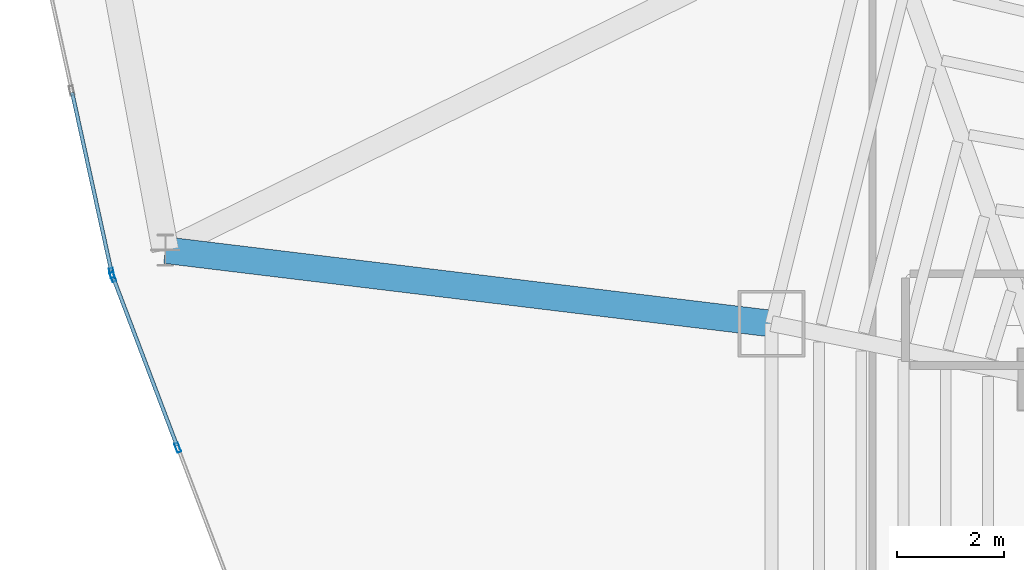
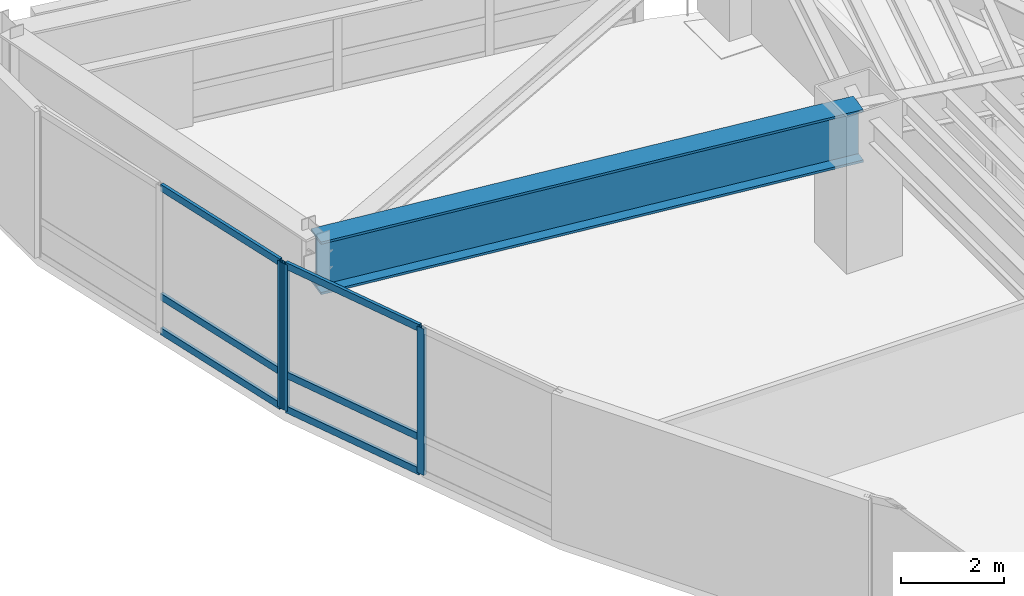
# One storey, part 8 of 23: 9 members, 1 beam, 2 elements without a shape of their own.
"""IFC4 building model written with IfcOpenShell, lengths in metres."""

from ifc_helpers import new_model, si_unit, direction, frame, origin, origin_2d, place, context, subcontext, project, spatial, hollow_rectangle, i_section, extrude, material, layer, layer_set, material_profile, profile_set, type_object, element, aggregate, save


model = new_model("IFC4")

# Units and contexts
model_context = context("Model", 3, precision=1e-05, world=origin(), true_north=direction((0.0, 1.0)))
body_context = subcontext(model_context, "Body", "Model", "MODEL_VIEW")
ifc_project = project(units=[si_unit("LENGTHUNIT", "METRE"), si_unit("AREAUNIT", "SQUARE_METRE"), si_unit("VOLUMEUNIT", "CUBIC_METRE"), si_unit("PLANEANGLEUNIT", "RADIAN"), si_unit("MASSUNIT", "GRAM", prefix="KILO")], contexts=[model_context])

# Site, building, storey
site_placement = place(None, origin())
site = spatial("IfcSite", under=ifc_project, at=site_placement, CompositionType="ELEMENT")
building_placement = place(site_placement, origin())
building = spatial("IfcBuilding", under=site, at=building_placement, Name="Menara Vayukalpa", CompositionType="ELEMENT")
storey_placement = place(building_placement, frame((0.0, 0.0, 103.97998046875)))
storey = spatial("IfcBuildingStorey", under=building, at=storey_placement, Name="L25", CompositionType="ELEMENT", Elevation=103.97998046875)

# Beam
ifc_material_1 = material(Name="Steel S460", Category="steel")
ifc_material_profile_1 = material_profile(ifc_material_1, i_section(OverallWidth=0.5, OverallDepth=1.25, WebThickness=0.028076171875, FlangeThickness=0.054931640625, at=origin_2d()), Name="WG 1250x500x28x55")
ifc_profile_set_1 = profile_set([ifc_material_profile_1], Name="Steel S460")
beam_type = type_object("IfcBeamType", Name="BM-TG2", PredefinedType="BEAM", material=ifc_profile_set_1)
beam_placement = place(storey_placement, frame((12.606689453125, 27.845703125, 2.844970703125), z_axis=(-0.992737332151, 0.120302075433, 0.0), x_axis=(-0.120302075433, -0.992737332151, 0.0)))
element("IfcBeam", 1, at=beam_placement, inside=storey, type_object=beam_type, Name="L25 SB2 Sky Bar Vierendeel Girder 05", PredefinedType="BEAM", context=body_context, shape_type="SweptSolid", body=[
    extrude(i_section(OverallWidth=0.5, OverallDepth=1.25, WebThickness=0.028076171875, FlangeThickness=0.054931640625, at=origin_2d()), origin(), (0.0, 0.0, 1.0), 11.449951171875),
])

# Curtain wall, member
ifc_material_2 = material(Name="Anodised Terracotta Aluminium Alloy 6063-T6", Category="masonry")
ifc_layer = layer(ifc_material_2, 0.179931640625)
ifc_layer_set = layer_set([ifc_layer], Name="Anodised Terracotta Aluminium Alloy 6063-T6")
curtain_wall_type = type_object("IfcCurtainWallType", Name="CW-CW4", PredefinedType="USERDEFINED", material=ifc_layer_set)
curtain_wall_1_placement = place(storey_placement, origin())
curtain_wall_1 = element("IfcCurtainWall", 2, at=curtain_wall_1_placement, inside=storey, type_object=curtain_wall_type, Name="L25 Sky Bar Cantilever Glazed Curtain Wall CW4 10", ObjectType="UNITISED", PredefinedType="USERDEFINED")
ifc_material_3 = material(Name="Anodised Terracotta Aluminium Alloy 6063-T6", Category="masonry")
ifc_material_profile_2 = material_profile(ifc_material_3, hollow_rectangle(XDim=0.074951171875, YDim=0.179931640625, WallThickness=0.00390625, at=origin_2d()), Name="ALU 75x180x4")
ifc_profile_set_2 = profile_set([ifc_material_profile_2], Name="Anodised Terracotta Aluminium Alloy 6063-T6")
member_type_1 = type_object("IfcMemberType", Name="CWM-CW4", PredefinedType="MULLION", material=ifc_profile_set_2)
member_1_placement = place(storey_placement, frame((0.2353515625, 28.793701171875, 0.0), z_axis=(0.0, 0.0, 1.0), x_axis=(0.976721757533, 0.214510159112, 0.0)))
member_1 = element("IfcMember", 3, at=member_1_placement, type_object=member_type_1, Name="CW4 mullion 3", PredefinedType="MULLION", context=body_context, shape_type="SweptSolid", body=[
    extrude(hollow_rectangle(XDim=0.074951171875, YDim=0.179931640625, WallThickness=0.00390625, at=origin_2d()), origin(), (0.0, 0.0, 1.0), 3.469970703125),
])

# Curtain wall, members
curtain_wall_2_placement = place(storey_placement, origin())
curtain_wall_2 = element("IfcCurtainWall", 4, at=curtain_wall_2_placement, inside=storey, type_object=curtain_wall_type, Name="L25 Sky Bar Cantilever Glazed Curtain Wall CW4 11", ObjectType="UNITISED", PredefinedType="USERDEFINED")
member_2_placement = place(storey_placement, frame((0.2568359375, 28.721923828125, 0.0), z_axis=(0.0, 0.0, 1.0), x_axis=(0.934964177732, 0.354742140657, 0.0)))
member_2 = element("IfcMember", 5, at=member_2_placement, type_object=member_type_1, Name="CW4 mullion 1", PredefinedType="MULLION", context=body_context, shape_type="SweptSolid", body=[
    extrude(hollow_rectangle(XDim=0.074951171875, YDim=0.179931640625, WallThickness=0.00390625, at=origin_2d()), origin(), (0.0, 0.0, 1.0), 3.469970703125),
])
member_3_placement = place(storey_placement, frame((1.47216796875, 25.518798828125, 0.0), z_axis=(0.0, 0.0, 1.0), x_axis=(0.934964177732, 0.354742140657, 0.0)))
member_3 = element("IfcMember", 6, at=member_3_placement, type_object=member_type_1, Name="CW4 mullion 2", PredefinedType="MULLION", context=body_context, shape_type="SweptSolid", body=[
    extrude(hollow_rectangle(XDim=0.074951171875, YDim=0.179931640625, WallThickness=0.00390625, at=origin_2d()), origin(), (0.0, 0.0, 1.0), 3.469970703125),
])

# Member
ifc_material_4 = material(Name="Anodised Terracotta Aluminium Alloy 6063-T6", Category="masonry")
ifc_material_profile_3 = material_profile(ifc_material_4, hollow_rectangle(XDim=0.070068359375, YDim=0.1650390625, WallThickness=0.00390625, at=origin_2d()), Name="ALU 70x165x4")
ifc_profile_set_3 = profile_set([ifc_material_profile_3], Name="Anodised Terracotta Aluminium Alloy 6063-T6")
member_type_2 = type_object("IfcMemberType", Name="CWT-CW4", PredefinedType="USERDEFINED", material=ifc_profile_set_3)
member_4_placement = place(storey_placement, frame((-0.5078125, 32.17822265625, 0.034912109375), z_axis=(0.214463645248, -0.976731971867, 0.0), x_axis=(0.976731971867, 0.214463645248, 0.0)))
member_4 = element("IfcMember", 7, at=member_4_placement, type_object=member_type_2, Name="CW4 transom 2.1", ObjectType="TRANSOM", PredefinedType="USERDEFINED", context=body_context, shape_type="SweptSolid", body=[
    extrude(hollow_rectangle(XDim=0.070068359375, YDim=0.1650390625, WallThickness=0.00390625, at=origin_2d()), origin(), (0.0, 0.0, 1.0), 3.427734375),
])

member_5_placement = place(storey_placement, frame((-0.5078125, 32.17822265625, 0.85009765625), z_axis=(0.214463645248, -0.976731971867, 0.0), x_axis=(0.976731971867, 0.214463645248, 0.0)))
member_5 = element("IfcMember", 8, at=member_5_placement, type_object=member_type_2, Name="CW4 transom 2.2", ObjectType="TRANSOM", PredefinedType="USERDEFINED", context=body_context, shape_type="SweptSolid", body=[
    extrude(hollow_rectangle(XDim=0.070068359375, YDim=0.1650390625, WallThickness=0.00390625, at=origin_2d()), origin(), (0.0, 0.0, 1.0), 3.427734375),
])

member_6_placement = place(storey_placement, frame((-0.5078125, 32.17822265625, 3.43505859375), z_axis=(0.214463645248, -0.976731971867, 0.0), x_axis=(0.976731971867, 0.214463645248, 0.0)))
member_6 = element("IfcMember", 9, at=member_6_placement, type_object=member_type_2, Name="CW4 transom 2.3", ObjectType="TRANSOM", PredefinedType="USERDEFINED", context=body_context, shape_type="SweptSolid", body=[
    extrude(hollow_rectangle(XDim=0.070068359375, YDim=0.1650390625, WallThickness=0.00390625, at=origin_2d()), origin(), (0.0, 0.0, 1.0), 3.427734375),
])

aggregate(curtain_wall_1, [member_1, member_4, member_5, member_6])

member_7_placement = place(storey_placement, frame((0.27001953125, 28.68701171875, 0.034912109375), z_axis=(0.354737691882, -0.934965865665, 0.0), x_axis=(0.934965865665, 0.354737691882, 0.0)))
member_7 = element("IfcMember", 10, at=member_7_placement, type_object=member_type_2, Name="CW4 transom 1.1", ObjectType="TRANSOM", PredefinedType="USERDEFINED", context=body_context, shape_type="SweptSolid", body=[
    extrude(hollow_rectangle(XDim=0.070068359375, YDim=0.1650390625, WallThickness=0.00390625, at=origin_2d()), origin(), (0.0, 0.0, 1.0), 3.35107421875),
])

member_8_placement = place(storey_placement, frame((0.27001953125, 28.68701171875, 0.85009765625), z_axis=(0.354737691882, -0.934965865665, 0.0), x_axis=(0.934965865665, 0.354737691882, 0.0)))
member_8 = element("IfcMember", 11, at=member_8_placement, type_object=member_type_2, Name="CW4 transom 1.2", ObjectType="TRANSOM", PredefinedType="USERDEFINED", context=body_context, shape_type="SweptSolid", body=[
    extrude(hollow_rectangle(XDim=0.070068359375, YDim=0.1650390625, WallThickness=0.00390625, at=origin_2d()), origin(), (0.0, 0.0, 1.0), 3.35107421875),
])

member_9_placement = place(storey_placement, frame((0.27001953125, 28.68701171875, 3.43505859375), z_axis=(0.354737691882, -0.934965865665, 0.0), x_axis=(0.934965865665, 0.354737691882, 0.0)))
member_9 = element("IfcMember", 12, at=member_9_placement, type_object=member_type_2, Name="CW4 transom 1.3", ObjectType="TRANSOM", PredefinedType="USERDEFINED", context=body_context, shape_type="SweptSolid", body=[
    extrude(hollow_rectangle(XDim=0.070068359375, YDim=0.1650390625, WallThickness=0.00390625, at=origin_2d()), origin(), (0.0, 0.0, 1.0), 3.35107421875),
])

aggregate(curtain_wall_2, [member_2, member_3, member_7, member_8, member_9])

save(model, "model.ifc")
